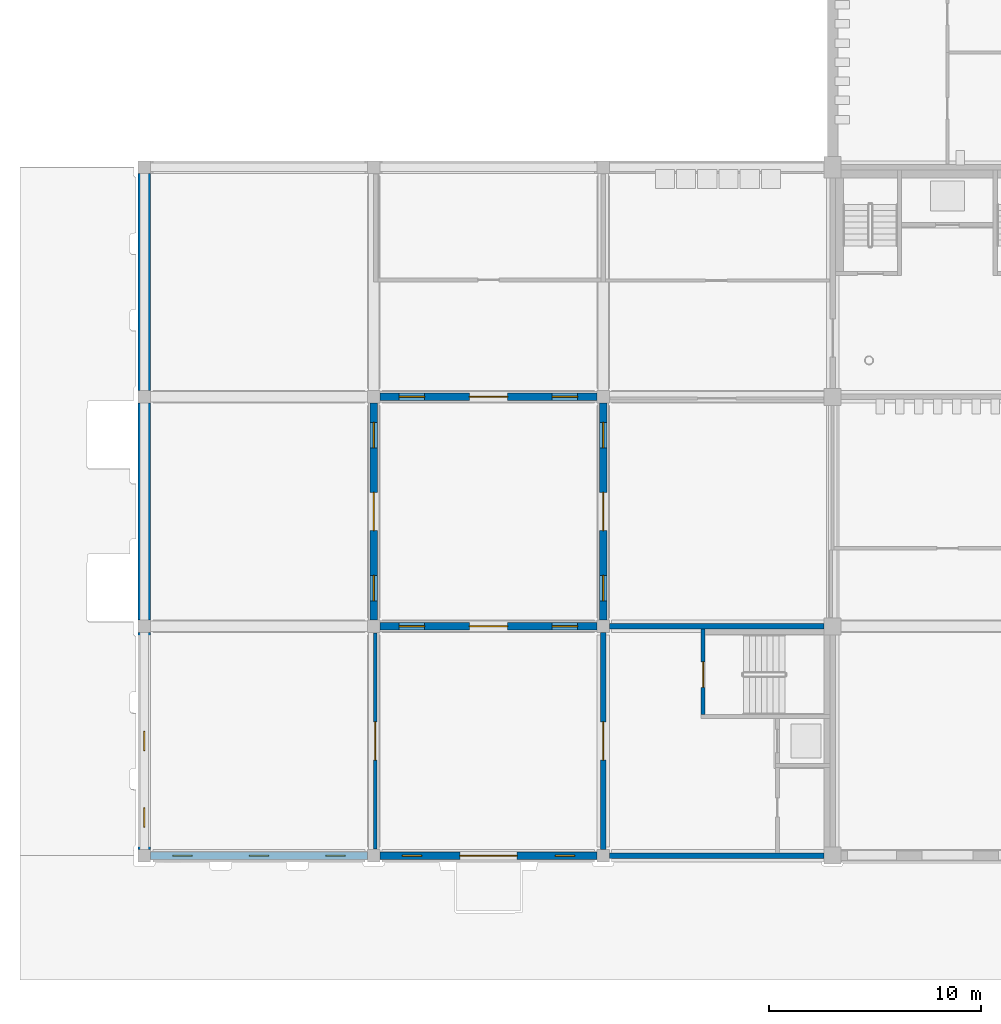
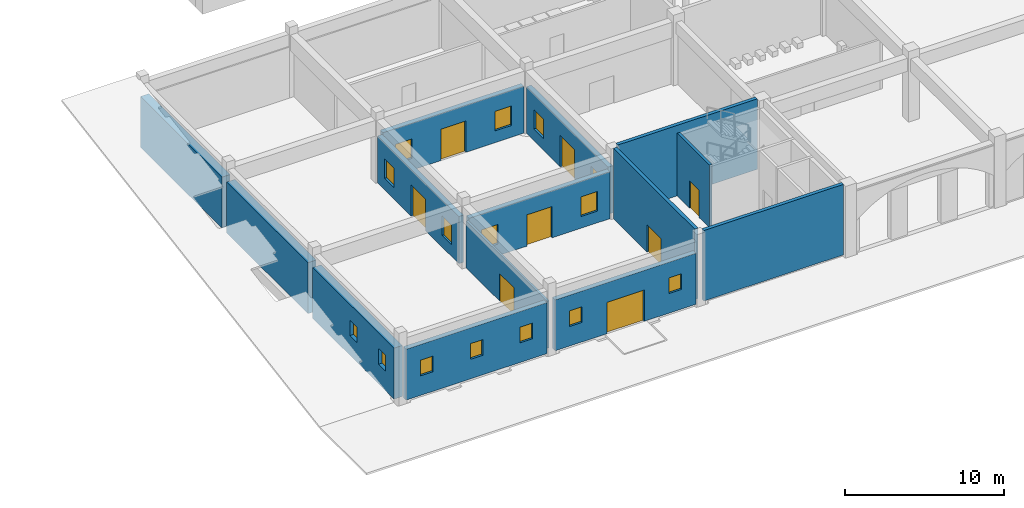
# One storey, part 25 of 101: 15 windows, 14 walls, 8 doors, 23 openings.
"""IFC4 building model written with IfcOpenShell, lengths in metres."""

import ifcopenshell
import ifcopenshell.guid

model = None  # the IFC model being written
_history = None  # IfcOwnerHistory: only IFC2X3 demands one
_inside = {}  # id of a spatial element -> (the spatial element, [elements in it])
_under = {}  # id of a project, library or spatial element -> (it, [spatial elements below it])
_declared = {}  # id of a project -> (the project, [libraries it declares])
_typed = {}  # id of a type object -> (the type object, [elements of that type])
_made_of = {}  # id of a material, layer set ... -> (it, [elements and type objects made of it])


def new_model(schema):
    """Start an empty IFC model of exactly this schema.

    Asked for "IFC4X3", IfcOpenShell would pick the latest addendum, in which some entities
    have other attributes; the version numbers below select the first issue.
    IFC2X3 requires an IfcOwnerHistory on every rooted entity: one is made here for all.
    """
    global model, _history
    if schema == "IFC4X3":
        model = ifcopenshell.file(schema_version=(4, 3, 0, 0))
    else:
        model = ifcopenshell.file(schema=schema)
    _inside.clear()
    _under.clear()
    _declared.clear()
    _typed.clear()
    _made_of.clear()
    _history = None
    if model.schema == "IFC2X3":
        org = make("IfcOrganization", Name="unknown")
        user = make(
            "IfcPersonAndOrganization",
            ThePerson=make("IfcPerson", FamilyName="unknown"),
            TheOrganization=org,
        )
        app = make(
            "IfcApplication",
            ApplicationDeveloper=org,
            Version="unknown",
            ApplicationFullName="unknown",
            ApplicationIdentifier="unknown",
        )
        _history = make(
            "IfcOwnerHistory",
            OwningUser=user,
            OwningApplication=app,
            ChangeAction="ADDED",
            CreationDate=0,
        )
    return model


def make(cls, **values):
    """One entity of the class cls with the attributes given. An attribute that is None is left unset."""
    return model.create_entity(
        cls, **{name: value for name, value in values.items() if value is not None}
    )


def rooted(cls, **values):
    """An entity with a GlobalId (a new one), such as an element, a storey or a relation."""
    return make(cls, GlobalId=ifcopenshell.guid.new(), OwnerHistory=_history, **values)


def si_unit(unit_type, name, prefix=None):
    """IfcSIUnit, for example si_unit("LENGTHUNIT", "METRE", prefix="MILLI")."""
    return make("IfcSIUnit", UnitType=unit_type, Prefix=prefix, Name=name)


def assignment(units):
    """IfcUnitAssignment: the units of a project."""
    return None if units is None else make("IfcUnitAssignment", Units=units)


def point(xyz):
    """IfcCartesianPoint."""
    return None if xyz is None else make("IfcCartesianPoint", Coordinates=xyz)


def direction(xyz):
    """IfcDirection."""
    return None if xyz is None else make("IfcDirection", DirectionRatios=xyz)


def frame(location, z_axis=None, x_axis=None):
    """IfcAxis2Placement3D, a coordinate frame: its origin and axes. An axis left out is left unset."""
    return make(
        "IfcAxis2Placement3D",
        Location=point(location),
        Axis=direction(z_axis),
        RefDirection=direction(x_axis),
    )


def frame_2d(location, x_axis=None):
    """IfcAxis2Placement2D, a coordinate frame in the plane: its origin and x axis."""
    return make(
        "IfcAxis2Placement2D", Location=point(location), RefDirection=direction(x_axis)
    )


def origin():
    """The frame at (0, 0, 0) with its axes left unset."""
    return frame((0.0, 0.0, 0.0))


def place(relative_to, where):
    """IfcLocalPlacement: puts the frame where relative to a parent placement (None: the world)."""
    return make(
        "IfcLocalPlacement", PlacementRelTo=relative_to, RelativePlacement=where
    )


def context(
    kind, dimensions, precision=None, world=None, true_north=None, identifier=None
):
    """IfcGeometricRepresentationContext, for example the 3D "Model" context."""
    return make(
        "IfcGeometricRepresentationContext",
        ContextIdentifier=identifier,
        ContextType=kind,
        CoordinateSpaceDimension=dimensions,
        Precision=precision,
        WorldCoordinateSystem=world,
        TrueNorth=true_north,
    )


def subcontext(parent, identifier, kind, view, scale=None):
    """IfcGeometricRepresentationSubContext, for example "Body" below "Model"."""
    return make(
        "IfcGeometricRepresentationSubContext",
        ContextIdentifier=identifier,
        ContextType=kind,
        ParentContext=parent,
        TargetScale=scale,
        TargetView=view,
    )


def project(units=None, contexts=None):
    """IfcProject with its units and contexts."""
    return rooted(
        "IfcProject",
        Name="project",
        RepresentationContexts=contexts,
        UnitsInContext=assignment(units),
    )


def spatial(cls, under=None, at=None, **own):
    """A site, building, storey or space (cls), placed at a placement, below another one or the project."""
    s = rooted(cls, ObjectPlacement=at, **own)
    if under is not None:
        _under.setdefault(under.id(), (under, []))[1].append(s)
    return s


def profile(cls, at=None, kind="AREA", **sizes):
    """A parametric profile (cls). Its sizes go by their IFC names, for example OverallWidth=200.0."""
    return make(cls, ProfileType=kind, Position=at, **sizes)


def rectangle(**sizes):
    """IfcRectangleProfileDef."""
    return profile("IfcRectangleProfileDef", **sizes)


def extrude(swept, where, along, depth):
    """IfcExtrudedAreaSolid: the profile swept, set in the frame where, extruded along a direction by depth."""
    return make(
        "IfcExtrudedAreaSolid",
        SweptArea=swept,
        Position=where,
        ExtrudedDirection=direction(along),
        Depth=depth,
    )


def shape(context_of_items, identifier, shape_type, items):
    """IfcShapeRepresentation: the items that make up one representation, for example the "Body"."""
    return make(
        "IfcShapeRepresentation",
        ContextOfItems=context_of_items,
        RepresentationIdentifier=identifier,
        RepresentationType=shape_type,
        Items=items,
    )


def material(Name=None, Category=None):
    """IfcMaterial."""
    return make("IfcMaterial", Name=Name, Category=Category)


def layer(
    of_material, thickness, ventilated=None, Name=None, Category=None, Priority=None
):
    """IfcMaterialLayer: one layer of a wall or slab, of a material (None: an air gap)."""
    return make(
        "IfcMaterialLayer",
        Material=of_material,
        LayerThickness=thickness,
        IsVentilated=ventilated,
        Name=Name,
        Category=Category,
        Priority=Priority,
    )


def layer_set(layers, Name=None):
    """IfcMaterialLayerSet."""
    return make("IfcMaterialLayerSet", MaterialLayers=layers, LayerSetName=Name)


def made_of(thing, what):
    """Note that an element or type object is made of a material, layer set ...; save() writes the relation."""
    if what is not None:
        _made_of.setdefault(what.id(), (what, []))[1].append(thing)
    return thing


def type_object(cls, material=None, **own):
    """A type object (cls), such as IfcWallType, which elements share."""
    return made_of(rooted(cls, **own), material)


def element(
    cls,
    number,
    at=None,
    inside=None,
    cuts=None,
    type_object=None,
    material=None,
    context=None,
    identifier="Body",
    shape_type=None,
    held_by="IfcProductDefinitionShape",
    body=None,
    shapes=None,
    **own,
):
    """One element of the class cls, such as IfcWall. Its Tag is "e" and its number.

    at: its placement. inside: the storey or other place that contains it. cuts: it is an
    opening in that element (IfcRelVoidsElement). A single representation is given by context,
    identifier, shape_type and body (its items); several are given by shapes. held_by: the class
    of the entity that holds the representations. save() writes the other relations.
    """
    e = rooted(cls, Tag="e%d" % number, ObjectPlacement=at, **own)
    if body is not None:
        shapes = [shape(context, identifier, shape_type, body)]
    if shapes is not None:
        e.Representation = make(held_by, Representations=shapes)
    if inside is not None:
        _inside.setdefault(inside.id(), (inside, []))[1].append(e)
    if cuts is not None:
        rooted(
            "IfcRelVoidsElement", RelatingBuildingElement=cuts, RelatedOpeningElement=e
        )
    if type_object is not None:
        _typed.setdefault(type_object.id(), (type_object, []))[1].append(e)
    return made_of(e, material)


def fill(opening, filler):
    """IfcRelFillsElement: the door or window that sits in an opening."""
    return rooted(
        "IfcRelFillsElement",
        RelatingOpeningElement=opening,
        RelatedBuildingElement=filler,
    )


def aggregate(whole, parts):
    """IfcRelAggregates: a whole, such as a stair, and the parts it consists of."""
    return rooted("IfcRelAggregates", RelatingObject=whole, RelatedObjects=parts)


def save(model, path):
    """Write the relations noted so far, then the file.

    IfcRelAggregates (storeys below a building ...), IfcRelContainedInSpatialStructure (elements
    in a storey), IfcRelDefinesByType, IfcRelAssociatesMaterial and IfcRelDeclares: one each for
    every whole, place, type object, material and project.
    """
    for whole, parts in _under.values():
        aggregate(whole, parts)
    for where, things in _inside.values():
        rooted(
            "IfcRelContainedInSpatialStructure",
            RelatedElements=things,
            RelatingStructure=where,
        )
    for kind, things in _typed.values():
        rooted("IfcRelDefinesByType", RelatedObjects=things, RelatingType=kind)
    for what, things in _made_of.values():
        rooted("IfcRelAssociatesMaterial", RelatedObjects=things, RelatingMaterial=what)
    for by, libraries in _declared.values():
        rooted("IfcRelDeclares", RelatingContext=by, RelatedDefinitions=libraries)
    model.write(path)


model = new_model("IFC4")

# Units and contexts
model_context = context("Model", 3, precision=1e-05, world=origin(), true_north=direction((0.0, 1.0)))
body_context = subcontext(model_context, "Body", "Model", "MODEL_VIEW")
ifc_project = project(units=[si_unit("LENGTHUNIT", "METRE"), si_unit("AREAUNIT", "SQUARE_METRE"), si_unit("VOLUMEUNIT", "CUBIC_METRE"), si_unit("PLANEANGLEUNIT", "RADIAN"), si_unit("MASSUNIT", "GRAM", prefix="KILO")], contexts=[model_context])

# Site, building, storey
site_placement = place(None, origin())
site = spatial("IfcSite", under=ifc_project, at=site_placement, CompositionType="ELEMENT")
building_placement = place(site_placement, origin())
building = spatial("IfcBuilding", under=site, at=building_placement, Name="Magnolia Steps Interchange", CompositionType="ELEMENT")
storey_placement = place(building_placement, frame((0.0, 0.0, -5.39990234375)))
storey = spatial("IfcBuildingStorey", under=building, at=storey_placement, Name="B1", CompositionType="ELEMENT", Elevation=-5.39990234375)

# Wall, openings, windows
ifc_material_1 = material(Name="Concrete C40", Category="concrete")
ifc_layer_1 = layer(ifc_material_1, 0.60009765625)
ifc_layer_set_1 = layer_set([ifc_layer_1], Name="Concrete C40 deep retaining wall 600")
wall_type_1 = type_object("IfcWallType", Name="Concrete C40 deep retaining wall 600", PredefinedType="SOLIDWALL", material=ifc_layer_set_1)
wall_1_placement = place(storey_placement, frame((10.0, 10.300048828125, 0.0), z_axis=(0.0, 0.0, 1.0), x_axis=(0.0, 1.0, 0.0)))
wall_1 = element("IfcWall", 1, at=wall_1_placement, inside=storey, type_object=wall_type_1, Name="Cycle hub west retaining wall B1", PredefinedType="SOLIDWALL", context=body_context, shape_type="SweptSolid", body=[
    extrude(rectangle(XDim=10.199951171875, YDim=0.60009765625, at=frame_2d((5.10009765625, 0.0))), origin(), (0.0, 0.0, 1.0), 3.89990234375),
])
opening_1_placement = place(wall_1_placement, frame((1.050048828125, 0.0, 1.5)))
opening_1 = element("IfcOpeningElement", 2, at=opening_1_placement, cuts=wall_1, Name="Opening WN4", PredefinedType="OPENING", context=body_context, shape_type="SweptSolid", body=[
    extrude(rectangle(XDim=0.89990234375, YDim=1.199951171875, at=frame_2d((0.449951171875, 0.60009765625))), frame((0.0, 0.31005859375, 0.0), z_axis=(0.0, -1.0, 0.0), x_axis=(1.0, 0.0, 0.0)), (0.0, 0.0, 1.0), 0.6201171875),
])
opening_2_placement = place(wall_1_placement, frame((4.64990234375, 0.0, 1.5)))
opening_2 = element("IfcOpeningElement", 3, at=opening_2_placement, cuts=wall_1, Name="Opening WN4", PredefinedType="OPENING", context=body_context, shape_type="SweptSolid", body=[
    extrude(rectangle(XDim=0.89990234375, YDim=1.199951171875, at=frame_2d((0.449951171875, 0.60009765625))), frame((0.0, 0.31005859375, 0.0), z_axis=(0.0, -1.0, 0.0), x_axis=(1.0, 0.0, 0.0)), (0.0, 0.0, 1.0), 0.6201171875),
])
ifc_material_2 = material(Name="Timber frame with double glazing", Category="wood")
window_type_1 = type_object("IfcWindowType", Name="Base window 900 x 1200", PartitioningType="SINGLE_PANEL", PredefinedType="WINDOW", material=ifc_material_2)
window_1_placement = place(opening_1_placement, origin())
window_1 = element("IfcWindow", 4, at=window_1_placement, inside=storey, type_object=window_type_1, Name="Hub base window west 1", OverallHeight=1.199951171875, OverallWidth=0.89990234375, PartitioningType="SINGLE_PANEL", PredefinedType="WINDOW", context=body_context, shape_type="SweptSolid", body=[
    extrude(rectangle(XDim=0.89990234375, YDim=1.199951171875, at=frame_2d((0.449951171875, 0.60009765625))), frame((0.0, 0.030029296875, 0.0), z_axis=(0.0, -1.0, 0.0), x_axis=(1.0, 0.0, 0.0)), (0.0, 0.0, 1.0), 0.06005859375),
])
fill(opening_1, window_1)
window_2_placement = place(opening_2_placement, origin())
window_2 = element("IfcWindow", 5, at=window_2_placement, inside=storey, type_object=window_type_1, Name="Hub base window west 2", OverallHeight=1.199951171875, OverallWidth=0.89990234375, PartitioningType="SINGLE_PANEL", PredefinedType="WINDOW", context=body_context, shape_type="SweptSolid", body=[
    extrude(rectangle(XDim=0.89990234375, YDim=1.199951171875, at=frame_2d((0.449951171875, 0.60009765625))), frame((0.0, 0.030029296875, 0.0), z_axis=(0.0, -1.0, 0.0), x_axis=(1.0, 0.0, 0.0)), (0.0, 0.0, 1.0), 0.06005859375),
])
fill(opening_2, window_2)

# Walls
wall_2_placement = place(storey_placement, frame((10.0, 21.10009765625, 0.0), z_axis=(0.0, 0.0, 1.0), x_axis=(0.0, 1.0, 0.0)))
element("IfcWall", 6, at=wall_2_placement, inside=storey, type_object=wall_type_1, Name="Cycle hub west retaining wall B1", PredefinedType="SOLIDWALL", context=body_context, shape_type="SweptSolid", body=[
    extrude(rectangle(XDim=10.199951171875, YDim=0.60009765625, at=frame_2d((5.10009765625, 0.0))), origin(), (0.0, 0.0, 1.0), 3.89990234375),
])
wall_3_placement = place(storey_placement, frame((10.0, 31.89990234375, 0.0), z_axis=(0.0, 0.0, 1.0), x_axis=(0.0, 1.0, 0.0)))
element("IfcWall", 7, at=wall_3_placement, inside=storey, type_object=wall_type_1, Name="Cycle hub west retaining wall B1", PredefinedType="SOLIDWALL", context=body_context, shape_type="SweptSolid", body=[
    extrude(rectangle(XDim=10.2001953125, YDim=0.60009765625, at=frame_2d((5.10009765625, 0.0))), origin(), (0.0, 0.0, 1.0), 3.89990234375),
])

# Wall, opening, door
ifc_material_3 = material(Name="Concrete C35", Category="concrete")
ifc_layer_2 = layer(ifc_material_3, 0.199951171875)
ifc_layer_set_2 = layer_set([ifc_layer_2], Name="Core enclosure wall 200")
wall_type_2 = type_object("IfcWallType", Name="Core enclosure wall 200", PredefinedType="SOLIDWALL", material=ifc_layer_set_2)
wall_4_placement = place(storey_placement, frame((36.300048828125, 20.675048828125, 0.0), z_axis=(0.0, 0.0, 1.0), x_axis=(0.0, -1.0, 0.0)))
wall_4 = element("IfcWall", 8, at=wall_4_placement, inside=storey, type_object=wall_type_2, Name="B1 HB1 enclosure wall", PredefinedType="SOLIDWALL", context=body_context, shape_type="SweptSolid", body=[
    extrude(rectangle(XDim=4.025146484375, YDim=0.199951171875, at=frame_2d((2.0126953125, 0.0))), origin(), (0.0, 0.0, 1.0), 4.7998046875),
])
opening_3_placement = place(wall_4_placement, frame((1.550048828125, 0.0, 0.0)))
opening_3 = element("IfcOpeningElement", 9, at=opening_3_placement, cuts=wall_4, Name="Opening D-HB1-B1-1", PredefinedType="OPENING", context=body_context, shape_type="SweptSolid", body=[
    extrude(rectangle(XDim=1.199951171875, YDim=2.10009765625, at=frame_2d((0.60009765625, 1.050048828125))), frame((0.0, 0.10986328125, 0.0), z_axis=(0.0, -1.0, 0.0), x_axis=(1.0, 0.0, 0.0)), (0.0, 0.0, 1.0), 0.219970703125),
])
ifc_material_4 = material(Name="Painted steel", Category="steel")
door_type_1 = type_object("IfcDoorType", Name="Stair fire door 1200x2100", OperationType="NOTDEFINED", PredefinedType="DOOR", material=ifc_material_4)
door_1_placement = place(opening_3_placement, frame((1.199951171875, 0.0, 0.0), z_axis=(0.0, 0.0, 1.0), x_axis=(-1.0, 0.0, 0.0)))
door_1 = element("IfcDoor", 10, at=door_1_placement, inside=storey, type_object=door_type_1, Name="Stair door ST25 B1", OperationType="SINGLE_SWING_LEFT", OverallHeight=2.10009765625, OverallWidth=1.199951171875, PredefinedType="DOOR", context=body_context, shape_type="SweptSolid", body=[
    extrude(rectangle(XDim=1.199951171875, YDim=2.10009765625, at=frame_2d((0.60009765625, 1.050048828125))), frame((0.0, 0.02490234375, 0.0), z_axis=(0.0, -1.0, 0.0), x_axis=(1.0, 0.0, 0.0)), (0.0, 0.0, 1.0), 0.050048828125),
])
fill(opening_3, door_1)

# Walls
ifc_material_5 = material(Name="Concrete C40", Category="concrete")
ifc_layer_3 = layer(ifc_material_5, 0.25)
ifc_layer_set_3 = layer_set([ifc_layer_3], Name="Core wall 250")
wall_type_3 = type_object("IfcWallType", Name="Core wall 250", PredefinedType="SOLIDWALL", material=ifc_layer_set_3)
for number, where, z_axis, x_axis, name in (
    (11, (31.89990234375, 10.0, 0.0), (0.0, 0.0, 1.0), (1.0, 0.0, 0.0), "Core wall HB1"),
    (12, (42.0, 20.800048828125, 0.0), (0.0, 0.0, 1.0), (-1.0, 0.0, 0.0), "Core wall HB1"),
):
    element("IfcWall", number, at=place(storey_placement, frame(where, z_axis=z_axis, x_axis=x_axis)), inside=storey, type_object=wall_type_3, Name=name, PredefinedType="SOLIDWALL", context=body_context, shape_type="SweptSolid", body=[
        extrude(rectangle(XDim=10.10009765625, YDim=0.25, at=frame_2d((5.050048828125, 0.0))), origin(), (0.0, 0.0, 1.0), 5.39990234375),
    ])

# Wall, opening, door
wall_5_placement = place(storey_placement, frame((31.60009765625, 20.5, 0.0), z_axis=(0.0, 0.0, 1.0), x_axis=(0.0, -1.0, 0.0)))
wall_5 = element("IfcWall", 13, at=wall_5_placement, inside=storey, type_object=wall_type_3, Name="Core wall HB1", PredefinedType="SOLIDWALL", context=body_context, shape_type="SweptSolid", body=[
    extrude(rectangle(XDim=10.199951171875, YDim=0.25, at=frame_2d((5.10009765625, 0.0))), origin(), (0.0, 0.0, 1.0), 5.39990234375),
])
opening_4_placement = place(wall_5_placement, frame((4.199951171875, 0.0, 0.0)))
opening_4 = element("IfcOpeningElement", 14, at=opening_4_placement, cuts=wall_5, Name="Opening D-HB1-B1-3", PredefinedType="OPENING", context=body_context, shape_type="SweptSolid", body=[
    extrude(rectangle(XDim=1.800048828125, YDim=2.10009765625, at=frame_2d((0.89990234375, 1.050048828125))), frame((0.0, 0.135009765625, 0.0), z_axis=(0.0, -1.0, 0.0), x_axis=(1.0, 0.0, 0.0)), (0.0, 0.0, 1.0), 0.27001953125),
])
ifc_material_6 = material(Name="Timber and glass", Category="wood")
door_type_2 = type_object("IfcDoorType", Name="Core entrance door pair 1800x2100", OperationType="DOUBLE_DOOR_DOUBLE_SWING", PredefinedType="DOOR", material=ifc_material_6)
door_2_placement = place(opening_4_placement, frame((1.800048828125, 0.0, 0.0), z_axis=(0.0, 0.0, 1.0), x_axis=(-1.0, 0.0, 0.0)))
door_2 = element("IfcDoor", 15, at=door_2_placement, inside=storey, type_object=door_type_2, Name="Core entrance door HB1 B1", OperationType="DOUBLE_DOOR_DOUBLE_SWING", OverallHeight=2.10009765625, OverallWidth=1.800048828125, PredefinedType="DOOR", context=body_context, shape_type="SweptSolid", body=[
    extrude(rectangle(XDim=1.800048828125, YDim=2.10009765625, at=frame_2d((0.89990234375, 1.050048828125))), frame((0.0, 0.02490234375, 0.0), z_axis=(0.0, -1.0, 0.0), x_axis=(1.0, 0.0, 0.0)), (0.0, 0.0, 1.0), 0.050048828125),
])
fill(opening_4, door_2)

# Wall, openings, windows
ifc_material_7 = material(Name="Lime render on masonry", Category="masonry")
ifc_layer_4 = layer(ifc_material_7, 0.35009765625)
ifc_layer_set_4 = layer_set([ifc_layer_4], Name="Lime render wall 350")
wall_type_4 = type_object("IfcWallType", Name="Lime render wall 350", PredefinedType="SOLIDWALL", material=ifc_layer_set_4)
wall_6_placement = place(storey_placement, frame((10.300048828125, 10.0, 0.0), z_axis=(0.0, 0.0, 1.0), x_axis=(1.0, 0.0, 0.0)))
wall_6 = element("IfcWall", 16, at=wall_6_placement, inside=storey, type_object=wall_type_4, Name="Cycle hub south wall B1", PredefinedType="SOLIDWALL", context=body_context, shape_type="SweptSolid", body=[
    extrude(rectangle(XDim=10.199951171875, YDim=0.35009765625, at=frame_2d((5.10009765625, 0.0))), origin(), (0.0, 0.0, 1.0), 3.89990234375),
])
opening_5_placement = place(wall_6_placement, frame((1.050048828125, 0.0, 1.5)))
opening_5 = element("IfcOpeningElement", 17, at=opening_5_placement, cuts=wall_6, Name="Opening WN4", PredefinedType="OPENING", context=body_context, shape_type="SweptSolid", body=[
    extrude(rectangle(XDim=0.89990234375, YDim=1.199951171875, at=frame_2d((0.449951171875, 0.60009765625))), frame((0.0, 0.18505859375, 0.0), z_axis=(0.0, -1.0, 0.0), x_axis=(1.0, 0.0, 0.0)), (0.0, 0.0, 1.0), 0.3701171875),
])
opening_6_placement = place(wall_6_placement, frame((4.64990234375, 0.0, 1.5)))
opening_6 = element("IfcOpeningElement", 18, at=opening_6_placement, cuts=wall_6, Name="Opening WN4", PredefinedType="OPENING", context=body_context, shape_type="SweptSolid", body=[
    extrude(rectangle(XDim=0.89990234375, YDim=1.199951171875, at=frame_2d((0.449951171875, 0.60009765625))), frame((0.0, 0.18505859375, 0.0), z_axis=(0.0, -1.0, 0.0), x_axis=(1.0, 0.0, 0.0)), (0.0, 0.0, 1.0), 0.3701171875),
])
opening_7_placement = place(wall_6_placement, frame((8.25, 0.0, 1.5)))
opening_7 = element("IfcOpeningElement", 19, at=opening_7_placement, cuts=wall_6, Name="Opening WN4", PredefinedType="OPENING", context=body_context, shape_type="SweptSolid", body=[
    extrude(rectangle(XDim=0.89990234375, YDim=1.199951171875, at=frame_2d((0.449951171875, 0.60009765625))), frame((0.0, 0.18505859375, 0.0), z_axis=(0.0, -1.0, 0.0), x_axis=(1.0, 0.0, 0.0)), (0.0, 0.0, 1.0), 0.3701171875),
])
window_3_placement = place(opening_5_placement, origin())
window_3 = element("IfcWindow", 20, at=window_3_placement, inside=storey, type_object=window_type_1, Name="Hub base window south 1", OverallHeight=1.199951171875, OverallWidth=0.89990234375, PartitioningType="SINGLE_PANEL", PredefinedType="WINDOW", context=body_context, shape_type="SweptSolid", body=[
    extrude(rectangle(XDim=0.89990234375, YDim=1.199951171875, at=frame_2d((0.449951171875, 0.60009765625))), frame((0.0, 0.030029296875, 0.0), z_axis=(0.0, -1.0, 0.0), x_axis=(1.0, 0.0, 0.0)), (0.0, 0.0, 1.0), 0.06005859375),
])
fill(opening_5, window_3)
window_4_placement = place(opening_6_placement, origin())
window_4 = element("IfcWindow", 21, at=window_4_placement, inside=storey, type_object=window_type_1, Name="Hub base window south 2", OverallHeight=1.199951171875, OverallWidth=0.89990234375, PartitioningType="SINGLE_PANEL", PredefinedType="WINDOW", context=body_context, shape_type="SweptSolid", body=[
    extrude(rectangle(XDim=0.89990234375, YDim=1.199951171875, at=frame_2d((0.449951171875, 0.60009765625))), frame((0.0, 0.030029296875, 0.0), z_axis=(0.0, -1.0, 0.0), x_axis=(1.0, 0.0, 0.0)), (0.0, 0.0, 1.0), 0.06005859375),
])
fill(opening_6, window_4)
window_5_placement = place(opening_7_placement, origin())
window_5 = element("IfcWindow", 22, at=window_5_placement, inside=storey, type_object=window_type_1, Name="Hub base window south 3", OverallHeight=1.199951171875, OverallWidth=0.89990234375, PartitioningType="SINGLE_PANEL", PredefinedType="WINDOW", context=body_context, shape_type="SweptSolid", body=[
    extrude(rectangle(XDim=0.89990234375, YDim=1.199951171875, at=frame_2d((0.449951171875, 0.60009765625))), frame((0.0, 0.030029296875, 0.0), z_axis=(0.0, -1.0, 0.0), x_axis=(1.0, 0.0, 0.0)), (0.0, 0.0, 1.0), 0.06005859375),
])
fill(opening_7, window_5)

# Wall, openings, windows, door
wall_7_placement = place(storey_placement, frame((21.10009765625, 10.0, 0.0), z_axis=(0.0, 0.0, 1.0), x_axis=(1.0, 0.0, 0.0)))
wall_7 = element("IfcWall", 23, at=wall_7_placement, inside=storey, type_object=wall_type_4, Name="Cycle hub south wall B1", PredefinedType="SOLIDWALL", context=body_context, shape_type="SweptSolid", body=[
    extrude(rectangle(XDim=10.199951171875, YDim=0.35009765625, at=frame_2d((5.10009765625, 0.0))), origin(), (0.0, 0.0, 1.0), 3.89990234375),
])
opening_8_placement = place(wall_7_placement, frame((1.050048828125, 0.0, 1.5)))
opening_8 = element("IfcOpeningElement", 24, at=opening_8_placement, cuts=wall_7, Name="Opening WN4", PredefinedType="OPENING", context=body_context, shape_type="SweptSolid", body=[
    extrude(rectangle(XDim=0.89990234375, YDim=1.199951171875, at=frame_2d((0.449951171875, 0.60009765625))), frame((0.0, 0.18505859375, 0.0), z_axis=(0.0, -1.0, 0.0), x_axis=(1.0, 0.0, 0.0)), (0.0, 0.0, 1.0), 0.3701171875),
])
opening_9_placement = place(wall_7_placement, frame((3.75, 0.0, 0.0)))
opening_9 = element("IfcOpeningElement", 25, at=opening_9_placement, cuts=wall_7, Name="Opening E24", PredefinedType="OPENING", context=body_context, shape_type="SweptSolid", body=[
    extrude(rectangle(XDim=2.699951171875, YDim=2.39990234375, at=frame_2d((1.35009765625, 1.199951171875))), frame((0.0, 0.18505859375, 0.0), z_axis=(0.0, -1.0, 0.0), x_axis=(1.0, 0.0, 0.0)), (0.0, 0.0, 1.0), 0.3701171875),
])
opening_10_placement = place(wall_7_placement, frame((8.25, 0.0, 1.5)))
opening_10 = element("IfcOpeningElement", 26, at=opening_10_placement, cuts=wall_7, Name="Opening WN4", PredefinedType="OPENING", context=body_context, shape_type="SweptSolid", body=[
    extrude(rectangle(XDim=0.89990234375, YDim=1.199951171875, at=frame_2d((0.449951171875, 0.60009765625))), frame((0.0, 0.18505859375, 0.0), z_axis=(0.0, -1.0, 0.0), x_axis=(1.0, 0.0, 0.0)), (0.0, 0.0, 1.0), 0.3701171875),
])
window_6_placement = place(opening_8_placement, origin())
window_6 = element("IfcWindow", 27, at=window_6_placement, inside=storey, type_object=window_type_1, Name="Hub base window south 4", OverallHeight=1.199951171875, OverallWidth=0.89990234375, PartitioningType="SINGLE_PANEL", PredefinedType="WINDOW", context=body_context, shape_type="SweptSolid", body=[
    extrude(rectangle(XDim=0.89990234375, YDim=1.199951171875, at=frame_2d((0.449951171875, 0.60009765625))), frame((0.0, 0.030029296875, 0.0), z_axis=(0.0, -1.0, 0.0), x_axis=(1.0, 0.0, 0.0)), (0.0, 0.0, 1.0), 0.06005859375),
])
fill(opening_8, window_6)
window_7_placement = place(opening_10_placement, origin())
window_7 = element("IfcWindow", 28, at=window_7_placement, inside=storey, type_object=window_type_1, Name="Hub base window south 6", OverallHeight=1.199951171875, OverallWidth=0.89990234375, PartitioningType="SINGLE_PANEL", PredefinedType="WINDOW", context=body_context, shape_type="SweptSolid", body=[
    extrude(rectangle(XDim=0.89990234375, YDim=1.199951171875, at=frame_2d((0.449951171875, 0.60009765625))), frame((0.0, 0.030029296875, 0.0), z_axis=(0.0, -1.0, 0.0), x_axis=(1.0, 0.0, 0.0)), (0.0, 0.0, 1.0), 0.06005859375),
])
fill(opening_10, window_7)
ifc_material_8 = material(Name="Aluminium and glass", Category="aluminium")
door_type_3 = type_object("IfcDoorType", Name="Cycle hub sliding door 2700 x 2400", OperationType="DOUBLE_DOOR_SLIDING", PredefinedType="DOOR", material=ifc_material_8)
door_3_placement = place(opening_9_placement, origin())
door_3 = element("IfcDoor", 29, at=door_3_placement, inside=storey, type_object=door_type_3, Name="Cycle hub street entrance doors", OperationType="DOUBLE_DOOR_SLIDING", OverallHeight=2.39990234375, OverallWidth=2.699951171875, PredefinedType="DOOR", context=body_context, shape_type="SweptSolid", body=[
    extrude(rectangle(XDim=2.699951171875, YDim=2.39990234375, at=frame_2d((1.35009765625, 1.199951171875))), frame((0.0, 0.02490234375, 0.0), z_axis=(0.0, -1.0, 0.0), x_axis=(1.0, 0.0, 0.0)), (0.0, 0.0, 1.0), 0.050048828125),
])
fill(opening_9, door_3)

wall_8_placement = place(storey_placement, frame((21.10009765625, 20.800048828125, 0.0), z_axis=(0.0, 0.0, 1.0), x_axis=(1.0, 0.0, 0.0)))
wall_8 = element("IfcWall", 30, at=wall_8_placement, inside=storey, type_object=wall_type_4, Name="Patio wall B1 S", PredefinedType="SOLIDWALL", context=body_context, shape_type="SweptSolid", body=[
    extrude(rectangle(XDim=10.199951171875, YDim=0.35009765625, at=frame_2d((5.10009765625, 0.0))), origin(), (0.0, 0.0, 1.0), 3.599853515625),
])
opening_11_placement = place(wall_8_placement, frame((0.89990234375, 0.0, 0.89990234375)))
opening_11 = element("IfcOpeningElement", 31, at=opening_11_placement, cuts=wall_8, Name="Opening WN7", PredefinedType="OPENING", context=body_context, shape_type="SweptSolid", body=[
    extrude(rectangle(XDim=1.199951171875, YDim=1.5, at=frame_2d((0.60009765625, 0.75))), frame((0.0, 0.18505859375, 0.0), z_axis=(0.0, -1.0, 0.0), x_axis=(1.0, 0.0, 0.0)), (0.0, 0.0, 1.0), 0.3701171875),
])
opening_12_placement = place(wall_8_placement, frame((4.199951171875, 0.0, 0.0)))
opening_12 = element("IfcOpeningElement", 32, at=opening_12_placement, cuts=wall_8, Name="Opening E25", PredefinedType="OPENING", context=body_context, shape_type="SweptSolid", body=[
    extrude(rectangle(XDim=1.800048828125, YDim=2.39990234375, at=frame_2d((0.89990234375, 1.199951171875))), frame((0.0, 0.18505859375, 0.0), z_axis=(0.0, -1.0, 0.0), x_axis=(1.0, 0.0, 0.0)), (0.0, 0.0, 1.0), 0.3701171875),
])
opening_13_placement = place(wall_8_placement, frame((8.10009765625, 0.0, 0.89990234375)))
opening_13 = element("IfcOpeningElement", 33, at=opening_13_placement, cuts=wall_8, Name="Opening WN7", PredefinedType="OPENING", context=body_context, shape_type="SweptSolid", body=[
    extrude(rectangle(XDim=1.199951171875, YDim=1.5, at=frame_2d((0.60009765625, 0.75))), frame((0.0, 0.18505859375, 0.0), z_axis=(0.0, -1.0, 0.0), x_axis=(1.0, 0.0, 0.0)), (0.0, 0.0, 1.0), 0.3701171875),
])
ifc_material_9 = material(Name="Timber frame with double glazing", Category="wood")
window_type_2 = type_object("IfcWindowType", Name="Patio and wing window 1200 x 1500", PartitioningType="SINGLE_PANEL", PredefinedType="WINDOW", material=ifc_material_9)
window_8_placement = place(opening_11_placement, origin())
window_8 = element("IfcWindow", 34, at=window_8_placement, inside=storey, type_object=window_type_2, Name="Patio window S1", OverallHeight=1.5, OverallWidth=1.199951171875, PartitioningType="SINGLE_PANEL", PredefinedType="WINDOW", context=body_context, shape_type="SweptSolid", body=[
    extrude(rectangle(XDim=1.199951171875, YDim=1.5, at=frame_2d((0.60009765625, 0.75))), frame((0.0, 0.030029296875, 0.0), z_axis=(0.0, -1.0, 0.0), x_axis=(1.0, 0.0, 0.0)), (0.0, 0.0, 1.0), 0.06005859375),
])
fill(opening_11, window_8)
window_9_placement = place(opening_13_placement, origin())
window_9 = element("IfcWindow", 35, at=window_9_placement, inside=storey, type_object=window_type_2, Name="Patio window S3", OverallHeight=1.5, OverallWidth=1.199951171875, PartitioningType="SINGLE_PANEL", PredefinedType="WINDOW", context=body_context, shape_type="SweptSolid", body=[
    extrude(rectangle(XDim=1.199951171875, YDim=1.5, at=frame_2d((0.60009765625, 0.75))), frame((0.0, 0.030029296875, 0.0), z_axis=(0.0, -1.0, 0.0), x_axis=(1.0, 0.0, 0.0)), (0.0, 0.0, 1.0), 0.06005859375),
])
fill(opening_13, window_9)
ifc_material_10 = material(Name="Timber", Category="wood")
door_type_4 = type_object("IfcDoorType", Name="Timber double door 1800 x 2400", OperationType="DOUBLE_DOOR_DOUBLE_SWING", PredefinedType="DOOR", material=ifc_material_10)
door_4_placement = place(opening_12_placement, origin())
door_4 = element("IfcDoor", 36, at=door_4_placement, inside=storey, type_object=door_type_4, Name="Cycle hall patio doors S", OperationType="DOUBLE_DOOR_DOUBLE_SWING", OverallHeight=2.39990234375, OverallWidth=1.800048828125, PredefinedType="DOOR", context=body_context, shape_type="SweptSolid", body=[
    extrude(rectangle(XDim=1.800048828125, YDim=2.39990234375, at=frame_2d((0.89990234375, 1.199951171875))), frame((0.0, 0.02490234375, 0.0), z_axis=(0.0, -1.0, 0.0), x_axis=(1.0, 0.0, 0.0)), (0.0, 0.0, 1.0), 0.050048828125),
])
fill(opening_12, door_4)

wall_9_placement = place(storey_placement, frame((21.10009765625, 31.60009765625, 0.0), z_axis=(0.0, 0.0, 1.0), x_axis=(1.0, 0.0, 0.0)))
wall_9 = element("IfcWall", 37, at=wall_9_placement, inside=storey, type_object=wall_type_4, Name="Patio wall B1 N", PredefinedType="SOLIDWALL", context=body_context, shape_type="SweptSolid", body=[
    extrude(rectangle(XDim=10.199951171875, YDim=0.35009765625, at=frame_2d((5.10009765625, 0.0))), origin(), (0.0, 0.0, 1.0), 3.599853515625),
])
opening_14_placement = place(wall_9_placement, frame((0.89990234375, 0.0, 0.89990234375)))
opening_14 = element("IfcOpeningElement", 38, at=opening_14_placement, cuts=wall_9, Name="Opening WN7", PredefinedType="OPENING", context=body_context, shape_type="SweptSolid", body=[
    extrude(rectangle(XDim=1.199951171875, YDim=1.5, at=frame_2d((0.60009765625, 0.75))), frame((0.0, 0.18505859375, 0.0), z_axis=(0.0, -1.0, 0.0), x_axis=(1.0, 0.0, 0.0)), (0.0, 0.0, 1.0), 0.3701171875),
])
opening_15_placement = place(wall_9_placement, frame((4.199951171875, 0.0, 0.0)))
opening_15 = element("IfcOpeningElement", 39, at=opening_15_placement, cuts=wall_9, Name="Opening E26", PredefinedType="OPENING", context=body_context, shape_type="SweptSolid", body=[
    extrude(rectangle(XDim=1.800048828125, YDim=2.39990234375, at=frame_2d((0.89990234375, 1.199951171875))), frame((0.0, 0.18505859375, 0.0), z_axis=(0.0, -1.0, 0.0), x_axis=(1.0, 0.0, 0.0)), (0.0, 0.0, 1.0), 0.3701171875),
])
opening_16_placement = place(wall_9_placement, frame((8.10009765625, 0.0, 0.89990234375)))
opening_16 = element("IfcOpeningElement", 40, at=opening_16_placement, cuts=wall_9, Name="Opening WN7", PredefinedType="OPENING", context=body_context, shape_type="SweptSolid", body=[
    extrude(rectangle(XDim=1.199951171875, YDim=1.5, at=frame_2d((0.60009765625, 0.75))), frame((0.0, 0.18505859375, 0.0), z_axis=(0.0, -1.0, 0.0), x_axis=(1.0, 0.0, 0.0)), (0.0, 0.0, 1.0), 0.3701171875),
])
window_10_placement = place(opening_14_placement, origin())
window_10 = element("IfcWindow", 41, at=window_10_placement, inside=storey, type_object=window_type_2, Name="Patio window N1", OverallHeight=1.5, OverallWidth=1.199951171875, PartitioningType="SINGLE_PANEL", PredefinedType="WINDOW", context=body_context, shape_type="SweptSolid", body=[
    extrude(rectangle(XDim=1.199951171875, YDim=1.5, at=frame_2d((0.60009765625, 0.75))), frame((0.0, 0.030029296875, 0.0), z_axis=(0.0, -1.0, 0.0), x_axis=(1.0, 0.0, 0.0)), (0.0, 0.0, 1.0), 0.06005859375),
])
fill(opening_14, window_10)
window_11_placement = place(opening_16_placement, origin())
window_11 = element("IfcWindow", 42, at=window_11_placement, inside=storey, type_object=window_type_2, Name="Patio window N3", OverallHeight=1.5, OverallWidth=1.199951171875, PartitioningType="SINGLE_PANEL", PredefinedType="WINDOW", context=body_context, shape_type="SweptSolid", body=[
    extrude(rectangle(XDim=1.199951171875, YDim=1.5, at=frame_2d((0.60009765625, 0.75))), frame((0.0, 0.030029296875, 0.0), z_axis=(0.0, -1.0, 0.0), x_axis=(1.0, 0.0, 0.0)), (0.0, 0.0, 1.0), 0.06005859375),
])
fill(opening_16, window_11)
door_5_placement = place(opening_15_placement, origin())
door_5 = element("IfcDoor", 43, at=door_5_placement, inside=storey, type_object=door_type_4, Name="Cycle hall patio doors N", OperationType="DOUBLE_DOOR_DOUBLE_SWING", OverallHeight=2.39990234375, OverallWidth=1.800048828125, PredefinedType="DOOR", context=body_context, shape_type="SweptSolid", body=[
    extrude(rectangle(XDim=1.800048828125, YDim=2.39990234375, at=frame_2d((0.89990234375, 1.199951171875))), frame((0.0, 0.02490234375, 0.0), z_axis=(0.0, -1.0, 0.0), x_axis=(1.0, 0.0, 0.0)), (0.0, 0.0, 1.0), 0.050048828125),
])
fill(opening_15, door_5)

wall_10_placement = place(storey_placement, frame((20.800048828125, 21.10009765625, 0.0), z_axis=(0.0, 0.0, 1.0), x_axis=(0.0, 1.0, 0.0)))
wall_10 = element("IfcWall", 44, at=wall_10_placement, inside=storey, type_object=wall_type_4, Name="Patio wall B1 W", PredefinedType="SOLIDWALL", context=body_context, shape_type="SweptSolid", body=[
    extrude(rectangle(XDim=10.199951171875, YDim=0.35009765625, at=frame_2d((5.10009765625, 0.0))), origin(), (0.0, 0.0, 1.0), 3.599853515625),
])
opening_17_placement = place(wall_10_placement, frame((0.89990234375, 0.0, 0.89990234375)))
opening_17 = element("IfcOpeningElement", 45, at=opening_17_placement, cuts=wall_10, Name="Opening WN7", PredefinedType="OPENING", context=body_context, shape_type="SweptSolid", body=[
    extrude(rectangle(XDim=1.199951171875, YDim=1.5, at=frame_2d((0.60009765625, 0.75))), frame((0.0, 0.18505859375, 0.0), z_axis=(0.0, -1.0, 0.0), x_axis=(1.0, 0.0, 0.0)), (0.0, 0.0, 1.0), 0.3701171875),
])
opening_18_placement = place(wall_10_placement, frame((4.199951171875, 0.0, 0.0)))
opening_18 = element("IfcOpeningElement", 46, at=opening_18_placement, cuts=wall_10, Name="Opening E27", PredefinedType="OPENING", context=body_context, shape_type="SweptSolid", body=[
    extrude(rectangle(XDim=1.800048828125, YDim=2.39990234375, at=frame_2d((0.89990234375, 1.199951171875))), frame((0.0, 0.18505859375, 0.0), z_axis=(0.0, -1.0, 0.0), x_axis=(1.0, 0.0, 0.0)), (0.0, 0.0, 1.0), 0.3701171875),
])
opening_19_placement = place(wall_10_placement, frame((8.10009765625, 0.0, 0.89990234375)))
opening_19 = element("IfcOpeningElement", 47, at=opening_19_placement, cuts=wall_10, Name="Opening WN7", PredefinedType="OPENING", context=body_context, shape_type="SweptSolid", body=[
    extrude(rectangle(XDim=1.199951171875, YDim=1.5, at=frame_2d((0.60009765625, 0.75))), frame((0.0, 0.18505859375, 0.0), z_axis=(0.0, -1.0, 0.0), x_axis=(1.0, 0.0, 0.0)), (0.0, 0.0, 1.0), 0.3701171875),
])
window_12_placement = place(opening_17_placement, origin())
window_12 = element("IfcWindow", 48, at=window_12_placement, inside=storey, type_object=window_type_2, Name="Patio window W1", OverallHeight=1.5, OverallWidth=1.199951171875, PartitioningType="SINGLE_PANEL", PredefinedType="WINDOW", context=body_context, shape_type="SweptSolid", body=[
    extrude(rectangle(XDim=1.199951171875, YDim=1.5, at=frame_2d((0.60009765625, 0.75))), frame((0.0, 0.030029296875, 0.0), z_axis=(0.0, -1.0, 0.0), x_axis=(1.0, 0.0, 0.0)), (0.0, 0.0, 1.0), 0.06005859375),
])
fill(opening_17, window_12)
window_13_placement = place(opening_19_placement, origin())
window_13 = element("IfcWindow", 49, at=window_13_placement, inside=storey, type_object=window_type_2, Name="Patio window W3", OverallHeight=1.5, OverallWidth=1.199951171875, PartitioningType="SINGLE_PANEL", PredefinedType="WINDOW", context=body_context, shape_type="SweptSolid", body=[
    extrude(rectangle(XDim=1.199951171875, YDim=1.5, at=frame_2d((0.60009765625, 0.75))), frame((0.0, 0.030029296875, 0.0), z_axis=(0.0, -1.0, 0.0), x_axis=(1.0, 0.0, 0.0)), (0.0, 0.0, 1.0), 0.06005859375),
])
fill(opening_19, window_13)
door_6_placement = place(opening_18_placement, origin())
door_6 = element("IfcDoor", 50, at=door_6_placement, inside=storey, type_object=door_type_4, Name="Cycle hall patio doors W", OperationType="DOUBLE_DOOR_DOUBLE_SWING", OverallHeight=2.39990234375, OverallWidth=1.800048828125, PredefinedType="DOOR", context=body_context, shape_type="SweptSolid", body=[
    extrude(rectangle(XDim=1.800048828125, YDim=2.39990234375, at=frame_2d((0.89990234375, 1.199951171875))), frame((0.0, 0.02490234375, 0.0), z_axis=(0.0, -1.0, 0.0), x_axis=(1.0, 0.0, 0.0)), (0.0, 0.0, 1.0), 0.050048828125),
])
fill(opening_18, door_6)

wall_11_placement = place(storey_placement, frame((31.60009765625, 21.10009765625, 0.0), z_axis=(0.0, 0.0, 1.0), x_axis=(0.0, 1.0, 0.0)))
wall_11 = element("IfcWall", 51, at=wall_11_placement, inside=storey, type_object=wall_type_4, Name="Patio wall B1 E", PredefinedType="SOLIDWALL", context=body_context, shape_type="SweptSolid", body=[
    extrude(rectangle(XDim=10.199951171875, YDim=0.35009765625, at=frame_2d((5.10009765625, 0.0))), origin(), (0.0, 0.0, 1.0), 3.599853515625),
])
opening_20_placement = place(wall_11_placement, frame((0.89990234375, 0.0, 0.89990234375)))
opening_20 = element("IfcOpeningElement", 52, at=opening_20_placement, cuts=wall_11, Name="Opening WN7", PredefinedType="OPENING", context=body_context, shape_type="SweptSolid", body=[
    extrude(rectangle(XDim=1.199951171875, YDim=1.5, at=frame_2d((0.60009765625, 0.75))), frame((0.0, 0.18505859375, 0.0), z_axis=(0.0, -1.0, 0.0), x_axis=(1.0, 0.0, 0.0)), (0.0, 0.0, 1.0), 0.3701171875),
])
opening_21_placement = place(wall_11_placement, frame((4.199951171875, 0.0, 0.0)))
opening_21 = element("IfcOpeningElement", 53, at=opening_21_placement, cuts=wall_11, Name="Opening E28", PredefinedType="OPENING", context=body_context, shape_type="SweptSolid", body=[
    extrude(rectangle(XDim=1.800048828125, YDim=2.39990234375, at=frame_2d((0.89990234375, 1.199951171875))), frame((0.0, 0.18505859375, 0.0), z_axis=(0.0, -1.0, 0.0), x_axis=(1.0, 0.0, 0.0)), (0.0, 0.0, 1.0), 0.3701171875),
])
opening_22_placement = place(wall_11_placement, frame((8.10009765625, 0.0, 0.89990234375)))
opening_22 = element("IfcOpeningElement", 54, at=opening_22_placement, cuts=wall_11, Name="Opening WN7", PredefinedType="OPENING", context=body_context, shape_type="SweptSolid", body=[
    extrude(rectangle(XDim=1.199951171875, YDim=1.5, at=frame_2d((0.60009765625, 0.75))), frame((0.0, 0.18505859375, 0.0), z_axis=(0.0, -1.0, 0.0), x_axis=(1.0, 0.0, 0.0)), (0.0, 0.0, 1.0), 0.3701171875),
])
window_14_placement = place(opening_20_placement, origin())
window_14 = element("IfcWindow", 55, at=window_14_placement, inside=storey, type_object=window_type_2, Name="Patio window E1", OverallHeight=1.5, OverallWidth=1.199951171875, PartitioningType="SINGLE_PANEL", PredefinedType="WINDOW", context=body_context, shape_type="SweptSolid", body=[
    extrude(rectangle(XDim=1.199951171875, YDim=1.5, at=frame_2d((0.60009765625, 0.75))), frame((0.0, 0.030029296875, 0.0), z_axis=(0.0, -1.0, 0.0), x_axis=(1.0, 0.0, 0.0)), (0.0, 0.0, 1.0), 0.06005859375),
])
fill(opening_20, window_14)
window_15_placement = place(opening_22_placement, origin())
window_15 = element("IfcWindow", 56, at=window_15_placement, inside=storey, type_object=window_type_2, Name="Patio window E3", OverallHeight=1.5, OverallWidth=1.199951171875, PartitioningType="SINGLE_PANEL", PredefinedType="WINDOW", context=body_context, shape_type="SweptSolid", body=[
    extrude(rectangle(XDim=1.199951171875, YDim=1.5, at=frame_2d((0.60009765625, 0.75))), frame((0.0, 0.030029296875, 0.0), z_axis=(0.0, -1.0, 0.0), x_axis=(1.0, 0.0, 0.0)), (0.0, 0.0, 1.0), 0.06005859375),
])
fill(opening_22, window_15)
door_7_placement = place(opening_21_placement, origin())
door_7 = element("IfcDoor", 57, at=door_7_placement, inside=storey, type_object=door_type_4, Name="Cycle hall patio doors E", OperationType="DOUBLE_DOOR_DOUBLE_SWING", OverallHeight=2.39990234375, OverallWidth=1.800048828125, PredefinedType="DOOR", context=body_context, shape_type="SweptSolid", body=[
    extrude(rectangle(XDim=1.800048828125, YDim=2.39990234375, at=frame_2d((0.89990234375, 1.199951171875))), frame((0.0, 0.02490234375, 0.0), z_axis=(0.0, -1.0, 0.0), x_axis=(1.0, 0.0, 0.0)), (0.0, 0.0, 1.0), 0.050048828125),
])
fill(opening_21, door_7)

# Wall, opening, door
ifc_material_11 = material(Name="Fair-faced blockwork", Category="masonry")
ifc_layer_5 = layer(ifc_material_11, 0.14990234375)
ifc_layer_set_5 = layer_set([ifc_layer_5], Name="Partition wall 150")
wall_type_5 = type_object("IfcWallType", Name="Partition wall 150", PredefinedType="PARTITIONING", material=ifc_layer_set_5)
wall_12_placement = place(storey_placement, frame((20.875, 10.320068359375, 0.0), z_axis=(0.0, 0.0, 1.0), x_axis=(0.0, 1.0, 0.0)))
wall_12 = element("IfcWall", 58, at=wall_12_placement, inside=storey, type_object=wall_type_5, Name="B1 partition 70", PredefinedType="PARTITIONING", context=body_context, shape_type="SweptSolid", body=[
    extrude(rectangle(XDim=10.159912109375, YDim=0.14990234375, at=frame_2d((5.080078125, 0.0))), origin(), (0.0, 0.0, 1.0), 3.599853515625),
])
opening_23_placement = place(wall_12_placement, frame((4.179931640625, 0.0, 0.0)))
opening_23 = element("IfcOpeningElement", 59, at=opening_23_placement, cuts=wall_12, Name="Opening D-B1-31", PredefinedType="OPENING", context=body_context, shape_type="SweptSolid", body=[
    extrude(rectangle(XDim=1.800048828125, YDim=2.10009765625, at=frame_2d((0.89990234375, 1.050048828125))), frame((0.0, 0.0849609375, 0.0), z_axis=(0.0, -1.0, 0.0), x_axis=(1.0, 0.0, 0.0)), (0.0, 0.0, 1.0), 0.169921875),
])
ifc_material_12 = material(Name="Timber", Category="wood")
door_type_5 = type_object("IfcDoorType", Name="Room door pair 1800x2100", OperationType="DOUBLE_DOOR_DOUBLE_SWING", PredefinedType="DOOR", material=ifc_material_12)
door_8_placement = place(opening_23_placement, frame((1.800048828125, 0.0, 0.0), z_axis=(0.0, 0.0, 1.0), x_axis=(-1.0, 0.0, 0.0)))
door_8 = element("IfcDoor", 60, at=door_8_placement, inside=storey, type_object=door_type_5, Name="Cycle Repair Workshop door", OperationType="DOUBLE_DOOR_DOUBLE_SWING", OverallHeight=2.10009765625, OverallWidth=1.800048828125, PredefinedType="DOOR", context=body_context, shape_type="SweptSolid", body=[
    extrude(rectangle(XDim=1.800048828125, YDim=2.10009765625, at=frame_2d((0.89990234375, 1.050048828125))), frame((0.0, 0.02490234375, 0.0), z_axis=(0.0, -1.0, 0.0), x_axis=(1.0, 0.0, 0.0)), (0.0, 0.0, 1.0), 0.050048828125),
])
fill(opening_23, door_8)

save(model, "model.ifc")
